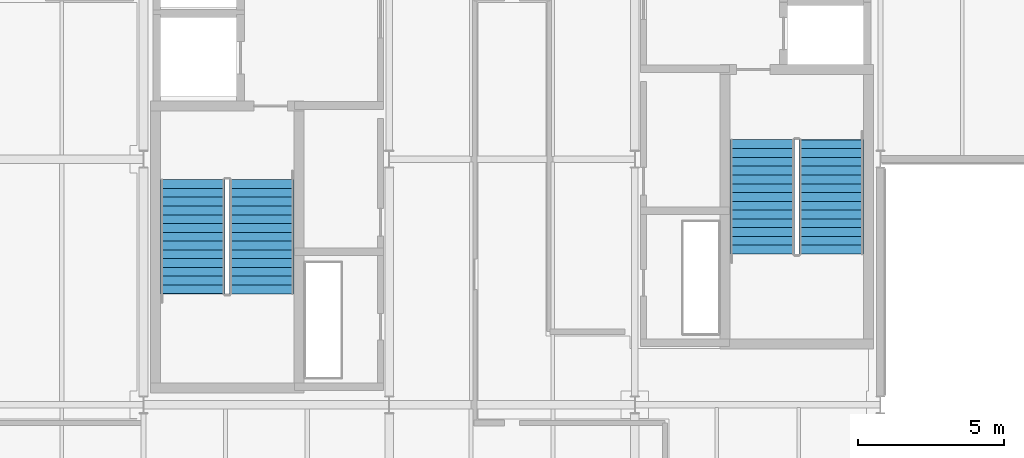
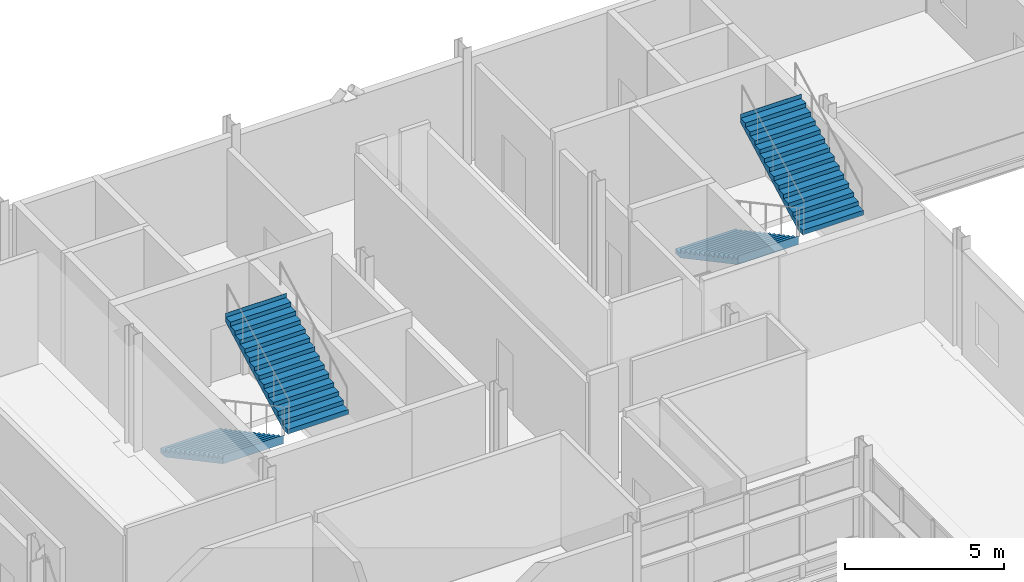
# One storey, part 106 of 129: 4 stair flights, 2 elements without a shape of their own.
"""IFC4 building model written with IfcOpenShell, lengths in metres."""

from ifc_helpers import new_model, si_unit, direction, frame, origin, place, context, subcontext, project, spatial, polyline, outline, extrude, material, type_object, element, aggregate, save


model = new_model("IFC4")

# Units and contexts
model_context = context("Model", 3, precision=1e-05, world=origin(), true_north=direction((0.0, 1.0)))
body_context = subcontext(model_context, "Body", "Model", "MODEL_VIEW")
ifc_project = project(units=[si_unit("LENGTHUNIT", "METRE"), si_unit("AREAUNIT", "SQUARE_METRE"), si_unit("VOLUMEUNIT", "CUBIC_METRE"), si_unit("PLANEANGLEUNIT", "RADIAN"), si_unit("MASSUNIT", "GRAM", prefix="KILO")], contexts=[model_context])

# Site, building, storey
site_placement = place(None, origin())
site = spatial("IfcSite", under=ifc_project, at=site_placement, CompositionType="ELEMENT")
building_placement = place(site_placement, origin())
building = spatial("IfcBuilding", under=site, at=building_placement, Name="Mersafa Astral City Hall", CompositionType="ELEMENT")
storey_placement = place(building_placement, frame((0.0, 0.0, 5.39990234375)))
storey = spatial("IfcBuildingStorey", under=building, at=storey_placement, Name="L01", CompositionType="ELEMENT", Elevation=5.39990234375)

# Stair, stair flights
ifc_material = material(Name="Concrete C40/50", Category="concrete")
stair_type = type_object("IfcStairType", Name="STAIR", PredefinedType="HALF_TURN_STAIR", material=ifc_material)
stair_1_placement = place(storey_placement, origin())
stair_1 = element("IfcStair", 1, at=stair_1_placement, inside=storey, type_object=stair_type, Name="L01 Protected Exit Stair ST1", PredefinedType="HALF_TURN_STAIR")
stair_flight_type = type_object("IfcStairFlightType", Name="STAIR-FLIGHT", PredefinedType="STRAIGHT", material=ifc_material)
stair_flight_1_placement = place(storey_placement, frame((152.8798828125, 116.89990234375, 0.0), z_axis=(0.0, 0.0, 1.0), x_axis=(0.0, -1.0, 0.0)))
stair_flight_1 = element("IfcStairFlight", 2, at=stair_flight_1_placement, type_object=stair_flight_type, Name="ST1 flight 1", NumberOfRisers=14, NumberOfTreads=13, PredefinedType="STRAIGHT", RiserHeight=0.160714286, TreadLength=0.3, context=body_context, shape_type="SweptSolid", body=[
    extrude(outline(polyline([(-0.008056640625, -0.02197265625), (-0.008056640625, -0.010498046875), (-0.008056640625, 0.000732421875), (-0.008056640625, 0.01220703125), (-0.008056640625, 0.023681640625), (-0.008056640625, 0.03515625), (-0.008056640625, 0.046630859375), (-0.008056640625, 0.057861328125), (-0.008056640625, 0.0693359375), (-0.008056640625, 0.080810546875), (-0.008056640625, 0.09228515625), (-0.008056640625, 0.103515625), (-0.008056640625, 0.114990234375), (-0.008056640625, 0.12646484375), (-0.008056640625, 0.137939453125), (-0.008056640625, 0.1494140625), (-0.008056640625, 0.16064453125), (0.300048828125, 0.16064453125), (0.300048828125, 0.321533203125), (0.60009765625, 0.321533203125), (0.60009765625, 0.482177734375), (0.89990234375, 0.482177734375), (0.89990234375, 0.642822265625), (1.199951171875, 0.642822265625), (1.199951171875, 0.803466796875), (1.5, 0.803466796875), (1.5, 0.96435546875), (1.800048828125, 0.96435546875), (1.800048828125, 1.125), (2.10009765625, 1.125), (2.10009765625, 1.28564453125), (2.39990234375, 1.28564453125), (2.39990234375, 1.446533203125), (2.699951171875, 1.446533203125), (2.699951171875, 1.607177734375), (3.0, 1.607177734375), (3.0, 1.767822265625), (3.300048828125, 1.767822265625), (3.300048828125, 1.928466796875), (3.60009765625, 1.928466796875), (3.60009765625, 2.08935546875), (3.89990234375, 2.08935546875), (3.89990234375, 2.25), (3.907958984375, 2.25), (3.907958984375, 2.229248046875), (3.907958984375, 2.208740234375), (3.907958984375, 2.18798828125), (3.907958984375, 2.167236328125), (3.907958984375, 2.146728515625), (3.907958984375, 2.1259765625), (3.907958984375, 2.105224609375), (3.907958984375, 2.084716796875), (3.907958984375, 2.06396484375), (3.907958984375, 2.043212890625), (3.907958984375, 2.022705078125), (3.907958984375, 2.001953125), (3.907958984375, 1.981201171875), (3.907958984375, 1.960693359375), (3.907958984375, 1.93994140625), (3.907958984375, 1.919189453125), (0.2763671875, -0.02197265625), (-0.008056640625, -0.02197265625)])), frame((0.0, 1.10009765625, 0.0), z_axis=(0.0, -1.0, 0.0), x_axis=(1.0, 0.0, 0.0)), (0.0, 0.0, 1.0), 2.199951171875),
])
stair_flight_2_placement = place(storey_placement, frame((155.239990234375, 113.0, 2.25), z_axis=(0.0, 0.0, 1.0), x_axis=(0.0, 1.0, 0.0)))
stair_flight_2 = element("IfcStairFlight", 3, at=stair_flight_2_placement, type_object=stair_flight_type, Name="ST1 flight 2", NumberOfRisers=14, NumberOfTreads=13, PredefinedType="STRAIGHT", RiserHeight=0.160714286, TreadLength=0.3, context=body_context, shape_type="SweptSolid", body=[
    extrude(outline(polyline([(-0.008056640625, -0.02197265625), (-0.008056640625, -0.010498046875), (-0.008056640625, 0.000732421875), (-0.008056640625, 0.01220703125), (-0.008056640625, 0.023681640625), (-0.008056640625, 0.03515625), (-0.008056640625, 0.046630859375), (-0.008056640625, 0.057861328125), (-0.008056640625, 0.0693359375), (-0.008056640625, 0.080810546875), (-0.008056640625, 0.09228515625), (-0.008056640625, 0.103515625), (-0.008056640625, 0.114990234375), (-0.008056640625, 0.12646484375), (-0.008056640625, 0.137939453125), (-0.008056640625, 0.1494140625), (-0.008056640625, 0.16064453125), (0.300048828125, 0.16064453125), (0.300048828125, 0.321533203125), (0.60009765625, 0.321533203125), (0.60009765625, 0.482177734375), (0.89990234375, 0.482177734375), (0.89990234375, 0.642822265625), (1.199951171875, 0.642822265625), (1.199951171875, 0.803466796875), (1.5, 0.803466796875), (1.5, 0.96435546875), (1.800048828125, 0.96435546875), (1.800048828125, 1.125), (2.10009765625, 1.125), (2.10009765625, 1.28564453125), (2.39990234375, 1.28564453125), (2.39990234375, 1.446533203125), (2.699951171875, 1.446533203125), (2.699951171875, 1.607177734375), (3.0, 1.607177734375), (3.0, 1.767822265625), (3.300048828125, 1.767822265625), (3.300048828125, 1.928466796875), (3.60009765625, 1.928466796875), (3.60009765625, 2.08935546875), (3.89990234375, 2.08935546875), (3.89990234375, 2.25), (3.907958984375, 2.25), (3.907958984375, 2.229248046875), (3.907958984375, 2.208740234375), (3.907958984375, 2.18798828125), (3.907958984375, 2.167236328125), (3.907958984375, 2.146728515625), (3.907958984375, 2.1259765625), (3.907958984375, 2.105224609375), (3.907958984375, 2.084716796875), (3.907958984375, 2.06396484375), (3.907958984375, 2.043212890625), (3.907958984375, 2.022705078125), (3.907958984375, 2.001953125), (3.907958984375, 1.981201171875), (3.907958984375, 1.960693359375), (3.907958984375, 1.93994140625), (3.907958984375, 1.919189453125), (0.2763671875, -0.02197265625), (-0.008056640625, -0.02197265625)])), frame((0.0, 1.10009765625, 0.0), z_axis=(0.0, -1.0, 0.0), x_axis=(1.0, 0.0, 0.0)), (0.0, 0.0, 1.0), 2.199951171875),
])
aggregate(stair_1, [stair_flight_1, stair_flight_2])

stair_2_placement = place(storey_placement, origin())
stair_2 = element("IfcStair", 4, at=stair_2_placement, inside=storey, type_object=stair_type, Name="L01 Protected Exit Stair ST2", PredefinedType="HALF_TURN_STAIR")
stair_flight_3_placement = place(storey_placement, frame((172.360107421875, 118.260009765625, 0.0), z_axis=(0.0, 0.0, 1.0), x_axis=(0.0, -1.0, 0.0)))
stair_flight_3 = element("IfcStairFlight", 5, at=stair_flight_3_placement, type_object=stair_flight_type, Name="ST2 flight 1", NumberOfRisers=14, NumberOfTreads=13, PredefinedType="STRAIGHT", RiserHeight=0.160714286, TreadLength=0.3, context=body_context, shape_type="SweptSolid", body=[
    extrude(outline(polyline([(-0.008056640625, -0.02197265625), (-0.008056640625, -0.010498046875), (-0.008056640625, 0.000732421875), (-0.008056640625, 0.01220703125), (-0.008056640625, 0.023681640625), (-0.008056640625, 0.03515625), (-0.008056640625, 0.046630859375), (-0.008056640625, 0.057861328125), (-0.008056640625, 0.0693359375), (-0.008056640625, 0.080810546875), (-0.008056640625, 0.09228515625), (-0.008056640625, 0.103515625), (-0.008056640625, 0.114990234375), (-0.008056640625, 0.12646484375), (-0.008056640625, 0.137939453125), (-0.008056640625, 0.1494140625), (-0.008056640625, 0.16064453125), (0.300048828125, 0.16064453125), (0.300048828125, 0.321533203125), (0.60009765625, 0.321533203125), (0.60009765625, 0.482177734375), (0.89990234375, 0.482177734375), (0.89990234375, 0.642822265625), (1.199951171875, 0.642822265625), (1.199951171875, 0.803466796875), (1.5, 0.803466796875), (1.5, 0.96435546875), (1.800048828125, 0.96435546875), (1.800048828125, 1.125), (2.10009765625, 1.125), (2.10009765625, 1.28564453125), (2.39990234375, 1.28564453125), (2.39990234375, 1.446533203125), (2.699951171875, 1.446533203125), (2.699951171875, 1.607177734375), (3.0, 1.607177734375), (3.0, 1.767822265625), (3.300048828125, 1.767822265625), (3.300048828125, 1.928466796875), (3.60009765625, 1.928466796875), (3.60009765625, 2.08935546875), (3.89990234375, 2.08935546875), (3.89990234375, 2.25), (3.907958984375, 2.25), (3.907958984375, 2.229248046875), (3.907958984375, 2.208740234375), (3.907958984375, 2.18798828125), (3.907958984375, 2.167236328125), (3.907958984375, 2.146728515625), (3.907958984375, 2.1259765625), (3.907958984375, 2.105224609375), (3.907958984375, 2.084716796875), (3.907958984375, 2.06396484375), (3.907958984375, 2.043212890625), (3.907958984375, 2.022705078125), (3.907958984375, 2.001953125), (3.907958984375, 1.981201171875), (3.907958984375, 1.960693359375), (3.907958984375, 1.93994140625), (3.907958984375, 1.919189453125), (0.2763671875, -0.02197265625), (-0.008056640625, -0.02197265625)])), frame((0.0, 1.10009765625, 0.0), z_axis=(0.0, -1.0, 0.0), x_axis=(1.0, 0.0, 0.0)), (0.0, 0.0, 1.0), 2.199951171875),
])
stair_flight_4_placement = place(storey_placement, frame((174.719970703125, 114.360107421875, 2.25), z_axis=(0.0, 0.0, 1.0), x_axis=(0.0, 1.0, 0.0)))
stair_flight_4 = element("IfcStairFlight", 6, at=stair_flight_4_placement, type_object=stair_flight_type, Name="ST2 flight 2", NumberOfRisers=14, NumberOfTreads=13, PredefinedType="STRAIGHT", RiserHeight=0.160714286, TreadLength=0.3, context=body_context, shape_type="SweptSolid", body=[
    extrude(outline(polyline([(-0.008056640625, -0.02197265625), (-0.008056640625, -0.010498046875), (-0.008056640625, 0.000732421875), (-0.008056640625, 0.01220703125), (-0.008056640625, 0.023681640625), (-0.008056640625, 0.03515625), (-0.008056640625, 0.046630859375), (-0.008056640625, 0.057861328125), (-0.008056640625, 0.0693359375), (-0.008056640625, 0.080810546875), (-0.008056640625, 0.09228515625), (-0.008056640625, 0.103515625), (-0.008056640625, 0.114990234375), (-0.008056640625, 0.12646484375), (-0.008056640625, 0.137939453125), (-0.008056640625, 0.1494140625), (-0.008056640625, 0.16064453125), (0.300048828125, 0.16064453125), (0.300048828125, 0.321533203125), (0.60009765625, 0.321533203125), (0.60009765625, 0.482177734375), (0.89990234375, 0.482177734375), (0.89990234375, 0.642822265625), (1.199951171875, 0.642822265625), (1.199951171875, 0.803466796875), (1.5, 0.803466796875), (1.5, 0.96435546875), (1.800048828125, 0.96435546875), (1.800048828125, 1.125), (2.10009765625, 1.125), (2.10009765625, 1.28564453125), (2.39990234375, 1.28564453125), (2.39990234375, 1.446533203125), (2.699951171875, 1.446533203125), (2.699951171875, 1.607177734375), (3.0, 1.607177734375), (3.0, 1.767822265625), (3.300048828125, 1.767822265625), (3.300048828125, 1.928466796875), (3.60009765625, 1.928466796875), (3.60009765625, 2.08935546875), (3.89990234375, 2.08935546875), (3.89990234375, 2.25), (3.907958984375, 2.25), (3.907958984375, 2.229248046875), (3.907958984375, 2.208740234375), (3.907958984375, 2.18798828125), (3.907958984375, 2.167236328125), (3.907958984375, 2.146728515625), (3.907958984375, 2.1259765625), (3.907958984375, 2.105224609375), (3.907958984375, 2.084716796875), (3.907958984375, 2.06396484375), (3.907958984375, 2.043212890625), (3.907958984375, 2.022705078125), (3.907958984375, 2.001953125), (3.907958984375, 1.981201171875), (3.907958984375, 1.960693359375), (3.907958984375, 1.93994140625), (3.907958984375, 1.919189453125), (0.2763671875, -0.02197265625), (-0.008056640625, -0.02197265625)])), frame((0.0, 1.10009765625, 0.0), z_axis=(0.0, -1.0, 0.0), x_axis=(1.0, 0.0, 0.0)), (0.0, 0.0, 1.0), 2.199951171875),
])
aggregate(stair_2, [stair_flight_3, stair_flight_4])

save(model, "model.ifc")
